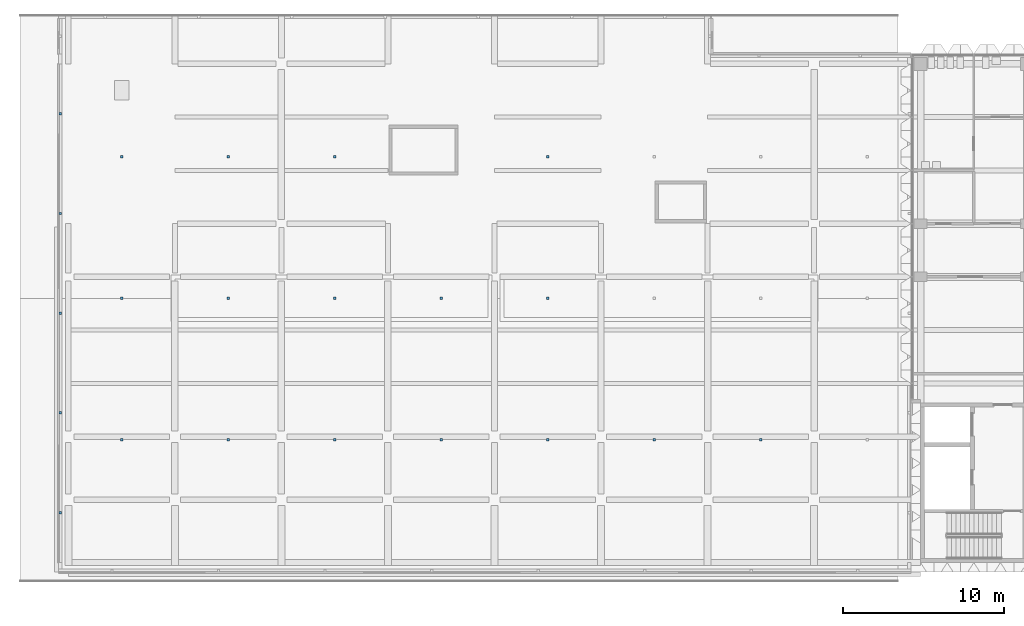
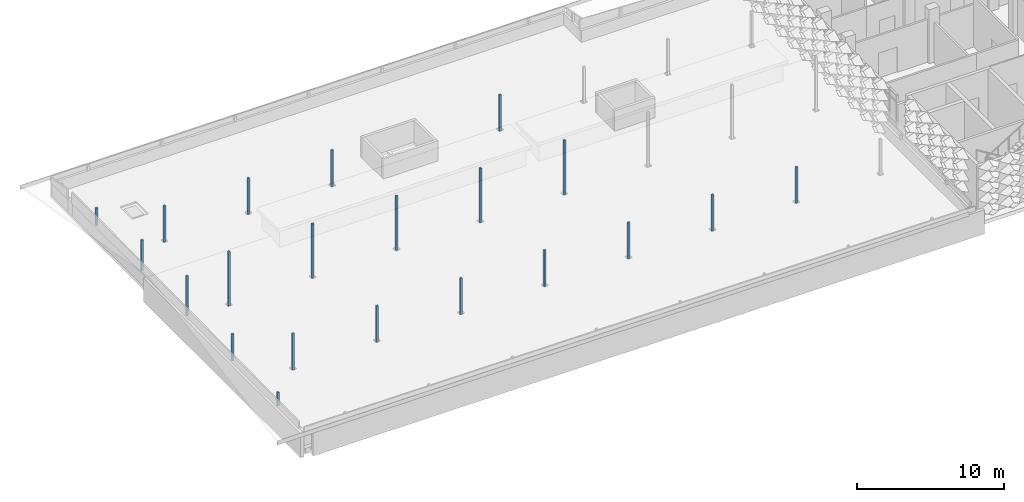
# One storey, part 15 of 39: 21 discrete accessories.
"""IFC4 building model written with IfcOpenShell, lengths in metres."""

import ifcopenshell
import ifcopenshell.guid

model = None  # the IFC model being written
_history = None  # IfcOwnerHistory: only IFC2X3 demands one
_inside = {}  # id of a spatial element -> (the spatial element, [elements in it])
_under = {}  # id of a project, library or spatial element -> (it, [spatial elements below it])
_declared = {}  # id of a project -> (the project, [libraries it declares])
_typed = {}  # id of a type object -> (the type object, [elements of that type])
_made_of = {}  # id of a material, layer set ... -> (it, [elements and type objects made of it])


def new_model(schema):
    """Start an empty IFC model of exactly this schema.

    Asked for "IFC4X3", IfcOpenShell would pick the latest addendum, in which some entities
    have other attributes; the version numbers below select the first issue.
    IFC2X3 requires an IfcOwnerHistory on every rooted entity: one is made here for all.
    """
    global model, _history
    if schema == "IFC4X3":
        model = ifcopenshell.file(schema_version=(4, 3, 0, 0))
    else:
        model = ifcopenshell.file(schema=schema)
    _inside.clear()
    _under.clear()
    _declared.clear()
    _typed.clear()
    _made_of.clear()
    _history = None
    if model.schema == "IFC2X3":
        org = make("IfcOrganization", Name="unknown")
        user = make(
            "IfcPersonAndOrganization",
            ThePerson=make("IfcPerson", FamilyName="unknown"),
            TheOrganization=org,
        )
        app = make(
            "IfcApplication",
            ApplicationDeveloper=org,
            Version="unknown",
            ApplicationFullName="unknown",
            ApplicationIdentifier="unknown",
        )
        _history = make(
            "IfcOwnerHistory",
            OwningUser=user,
            OwningApplication=app,
            ChangeAction="ADDED",
            CreationDate=0,
        )
    return model


def make(cls, **values):
    """One entity of the class cls with the attributes given. An attribute that is None is left unset."""
    return model.create_entity(
        cls, **{name: value for name, value in values.items() if value is not None}
    )


def rooted(cls, **values):
    """An entity with a GlobalId (a new one), such as an element, a storey or a relation."""
    return make(cls, GlobalId=ifcopenshell.guid.new(), OwnerHistory=_history, **values)


def si_unit(unit_type, name, prefix=None):
    """IfcSIUnit, for example si_unit("LENGTHUNIT", "METRE", prefix="MILLI")."""
    return make("IfcSIUnit", UnitType=unit_type, Prefix=prefix, Name=name)


def assignment(units):
    """IfcUnitAssignment: the units of a project."""
    return None if units is None else make("IfcUnitAssignment", Units=units)


def point(xyz):
    """IfcCartesianPoint."""
    return None if xyz is None else make("IfcCartesianPoint", Coordinates=xyz)


def direction(xyz):
    """IfcDirection."""
    return None if xyz is None else make("IfcDirection", DirectionRatios=xyz)


def frame(location, z_axis=None, x_axis=None):
    """IfcAxis2Placement3D, a coordinate frame: its origin and axes. An axis left out is left unset."""
    return make(
        "IfcAxis2Placement3D",
        Location=point(location),
        Axis=direction(z_axis),
        RefDirection=direction(x_axis),
    )


def frame_2d(location, x_axis=None):
    """IfcAxis2Placement2D, a coordinate frame in the plane: its origin and x axis."""
    return make(
        "IfcAxis2Placement2D", Location=point(location), RefDirection=direction(x_axis)
    )


def origin():
    """The frame at (0, 0, 0) with its axes left unset."""
    return frame((0.0, 0.0, 0.0))


def origin_2d():
    """The frame at (0, 0) in the plane with its x axis left unset."""
    return frame_2d((0.0, 0.0))


def place(relative_to, where):
    """IfcLocalPlacement: puts the frame where relative to a parent placement (None: the world)."""
    return make(
        "IfcLocalPlacement", PlacementRelTo=relative_to, RelativePlacement=where
    )


def context(
    kind, dimensions, precision=None, world=None, true_north=None, identifier=None
):
    """IfcGeometricRepresentationContext, for example the 3D "Model" context."""
    return make(
        "IfcGeometricRepresentationContext",
        ContextIdentifier=identifier,
        ContextType=kind,
        CoordinateSpaceDimension=dimensions,
        Precision=precision,
        WorldCoordinateSystem=world,
        TrueNorth=true_north,
    )


def subcontext(parent, identifier, kind, view, scale=None):
    """IfcGeometricRepresentationSubContext, for example "Body" below "Model"."""
    return make(
        "IfcGeometricRepresentationSubContext",
        ContextIdentifier=identifier,
        ContextType=kind,
        ParentContext=parent,
        TargetScale=scale,
        TargetView=view,
    )


def project(units=None, contexts=None):
    """IfcProject with its units and contexts."""
    return rooted(
        "IfcProject",
        Name="project",
        RepresentationContexts=contexts,
        UnitsInContext=assignment(units),
    )


def spatial(cls, under=None, at=None, **own):
    """A site, building, storey or space (cls), placed at a placement, below another one or the project."""
    s = rooted(cls, ObjectPlacement=at, **own)
    if under is not None:
        _under.setdefault(under.id(), (under, []))[1].append(s)
    return s


def profile(cls, at=None, kind="AREA", **sizes):
    """A parametric profile (cls). Its sizes go by their IFC names, for example OverallWidth=200.0."""
    return make(cls, ProfileType=kind, Position=at, **sizes)


def rectangle(**sizes):
    """IfcRectangleProfileDef."""
    return profile("IfcRectangleProfileDef", **sizes)


def extrude(swept, where, along, depth):
    """IfcExtrudedAreaSolid: the profile swept, set in the frame where, extruded along a direction by depth."""
    return make(
        "IfcExtrudedAreaSolid",
        SweptArea=swept,
        Position=where,
        ExtrudedDirection=direction(along),
        Depth=depth,
    )


def shape(context_of_items, identifier, shape_type, items):
    """IfcShapeRepresentation: the items that make up one representation, for example the "Body"."""
    return make(
        "IfcShapeRepresentation",
        ContextOfItems=context_of_items,
        RepresentationIdentifier=identifier,
        RepresentationType=shape_type,
        Items=items,
    )


def material(Name=None, Category=None):
    """IfcMaterial."""
    return make("IfcMaterial", Name=Name, Category=Category)


def made_of(thing, what):
    """Note that an element or type object is made of a material, layer set ...; save() writes the relation."""
    if what is not None:
        _made_of.setdefault(what.id(), (what, []))[1].append(thing)
    return thing


def type_object(cls, material=None, **own):
    """A type object (cls), such as IfcWallType, which elements share."""
    return made_of(rooted(cls, **own), material)


def element(
    cls,
    number,
    at=None,
    inside=None,
    cuts=None,
    type_object=None,
    material=None,
    context=None,
    identifier="Body",
    shape_type=None,
    held_by="IfcProductDefinitionShape",
    body=None,
    shapes=None,
    **own,
):
    """One element of the class cls, such as IfcWall. Its Tag is "e" and its number.

    at: its placement. inside: the storey or other place that contains it. cuts: it is an
    opening in that element (IfcRelVoidsElement). A single representation is given by context,
    identifier, shape_type and body (its items); several are given by shapes. held_by: the class
    of the entity that holds the representations. save() writes the other relations.
    """
    e = rooted(cls, Tag="e%d" % number, ObjectPlacement=at, **own)
    if body is not None:
        shapes = [shape(context, identifier, shape_type, body)]
    if shapes is not None:
        e.Representation = make(held_by, Representations=shapes)
    if inside is not None:
        _inside.setdefault(inside.id(), (inside, []))[1].append(e)
    if cuts is not None:
        rooted(
            "IfcRelVoidsElement", RelatingBuildingElement=cuts, RelatedOpeningElement=e
        )
    if type_object is not None:
        _typed.setdefault(type_object.id(), (type_object, []))[1].append(e)
    return made_of(e, material)


def aggregate(whole, parts):
    """IfcRelAggregates: a whole, such as a stair, and the parts it consists of."""
    return rooted("IfcRelAggregates", RelatingObject=whole, RelatedObjects=parts)


def save(model, path):
    """Write the relations noted so far, then the file.

    IfcRelAggregates (storeys below a building ...), IfcRelContainedInSpatialStructure (elements
    in a storey), IfcRelDefinesByType, IfcRelAssociatesMaterial and IfcRelDeclares: one each for
    every whole, place, type object, material and project.
    """
    for whole, parts in _under.values():
        aggregate(whole, parts)
    for where, things in _inside.values():
        rooted(
            "IfcRelContainedInSpatialStructure",
            RelatedElements=things,
            RelatingStructure=where,
        )
    for kind, things in _typed.values():
        rooted("IfcRelDefinesByType", RelatedObjects=things, RelatingType=kind)
    for what, things in _made_of.values():
        rooted("IfcRelAssociatesMaterial", RelatedObjects=things, RelatingMaterial=what)
    for by, libraries in _declared.values():
        rooted("IfcRelDeclares", RelatingContext=by, RelatedDefinitions=libraries)
    model.write(path)


model = new_model("IFC4")

# Units and contexts
model_context = context("Model", 3, precision=1e-05, world=origin(), true_north=direction((0.0, 1.0)))
body_context = subcontext(model_context, "Body", "Model", "MODEL_VIEW")
ifc_project = project(units=[si_unit("LENGTHUNIT", "METRE"), si_unit("AREAUNIT", "SQUARE_METRE"), si_unit("VOLUMEUNIT", "CUBIC_METRE"), si_unit("PLANEANGLEUNIT", "RADIAN"), si_unit("MASSUNIT", "GRAM", prefix="KILO")], contexts=[model_context])

# Site, building, storey
site_placement = place(None, origin())
site = spatial("IfcSite", under=ifc_project, at=site_placement, CompositionType="ELEMENT")
building_placement = place(site_placement, origin())
building = spatial("IfcBuilding", under=site, at=building_placement, Name="Lantern Court Research Institute", CompositionType="ELEMENT")
storey_placement = place(building_placement, frame((0.0, 0.0, 27.89990234375)))
storey = spatial("IfcBuildingStorey", under=building, at=storey_placement, Name="L06", CompositionType="ELEMENT", Elevation=27.89990234375)

# Discrete accessories
ifc_material = material(Name="Structural steel S355", Category="steel")
discrete_accessory_type = type_object("IfcDiscreteAccessoryType", Name="Parasol roof post 150 x 150 steel", PredefinedType="BRACKET", material=ifc_material)
for number, where, z_axis, x_axis, name in (
    (1, (3.300048828125, 8.574951171875, 0.0), (0.0, 0.0, 1.0), (1.0, 0.0, 0.0), "Parasol roof post V4 1"),
    (2, (9.89990234375, 8.574951171875, 0.0), (0.0, 0.0, 1.0), (1.0, 0.0, 0.0), "Parasol roof post V4 2"),
    (3, (16.5, 8.574951171875, 0.0), (0.0, 0.0, 1.0), (1.0, 0.0, 0.0), "Parasol roof post V4 3"),
    (4, (23.10009765625, 8.574951171875, 0.0), (0.0, 0.0, 1.0), (1.0, 0.0, 0.0), "Parasol roof post V4 4"),
    (5, (29.699951171875, 8.574951171875, 0.0), (0.0, 0.0, 1.0), (1.0, 0.0, 0.0), "Parasol roof post V4 5"),
):
    element("IfcDiscreteAccessory", number, at=place(storey_placement, frame(where, z_axis=z_axis, x_axis=x_axis)), inside=storey, type_object=discrete_accessory_type, Name=name, PredefinedType="BRACKET", context=body_context, shape_type="SweptSolid", body=[
        extrude(rectangle(XDim=0.14990234375, YDim=0.14990234375, at=origin_2d()), origin(), (0.0, 0.0, 1.0), 4.545654296875),
    ])
for number, where, z_axis, x_axis, name in (
    (6, (3.300048828125, -0.1875, 0.0), (0.0, 0.0, 1.0), (1.0, 0.0, 0.0), "Parasol roof post V4 9"),
    (7, (9.89990234375, -0.1875, 0.0), (0.0, 0.0, 1.0), (1.0, 0.0, 0.0), "Parasol roof post V4 10"),
    (8, (16.5, -0.1875, 0.0), (0.0, 0.0, 1.0), (1.0, 0.0, 0.0), "Parasol roof post V4 11"),
    (9, (23.10009765625, -0.1875, 0.0), (0.0, 0.0, 1.0), (1.0, 0.0, 0.0), "Parasol roof post V4 12"),
    (10, (29.699951171875, -0.1875, 0.0), (0.0, 0.0, 1.0), (1.0, 0.0, 0.0), "Parasol roof post V4 13"),
    (11, (36.300048828125, -0.1875, 0.0), (0.0, 0.0, 1.0), (1.0, 0.0, 0.0), "Parasol roof post V4 14"),
    (12, (42.89990234375, -0.1875, 0.0), (0.0, 0.0, 1.0), (1.0, 0.0, 0.0), "Parasol roof post V4 15"),
    (13, (3.300048828125, 17.33740234375, 0.0), (0.0, 0.0, 1.0), (1.0, 0.0, 0.0), "Parasol roof post V4 17"),
    (14, (9.89990234375, 17.33740234375, 0.0), (0.0, 0.0, 1.0), (1.0, 0.0, 0.0), "Parasol roof post V4 18"),
    (15, (16.5, 17.33740234375, 0.0), (0.0, 0.0, 1.0), (1.0, 0.0, 0.0), "Parasol roof post V4 19"),
    (16, (29.699951171875, 17.33740234375, 0.0), (0.0, 0.0, 1.0), (1.0, 0.0, 0.0), "Parasol roof post V4 20"),
):
    element("IfcDiscreteAccessory", number, at=place(storey_placement, frame(where, z_axis=z_axis, x_axis=x_axis)), inside=storey, type_object=discrete_accessory_type, Name=name, PredefinedType="BRACKET", context=body_context, shape_type="SweptSolid", body=[
        extrude(rectangle(XDim=0.14990234375, YDim=0.14990234375, at=origin_2d()), origin(), (0.0, 0.0, 1.0), 3.027099609375),
    ])
discrete_accessory_1_placement = place(storey_placement, frame((-0.5, 20.010009765625, 1.10009765625), z_axis=(0.0, 0.0, 1.0), x_axis=(1.0, 0.0, 0.0)))
element("IfcDiscreteAccessory", 17, at=discrete_accessory_1_placement, inside=storey, type_object=discrete_accessory_type, Name="Parasol roof post V4 24", PredefinedType="BRACKET", context=body_context, shape_type="SweptSolid", body=[
    extrude(rectangle(XDim=0.14990234375, YDim=0.14990234375, at=origin_2d()), origin(), (0.0, 0.0, 1.0), 1.455810546875),
])
discrete_accessory_2_placement = place(storey_placement, frame((-0.5, 13.830078125, 1.10009765625), z_axis=(0.0, 0.0, 1.0), x_axis=(1.0, 0.0, 0.0)))
element("IfcDiscreteAccessory", 18, at=discrete_accessory_2_placement, inside=storey, type_object=discrete_accessory_type, Name="Parasol roof post V4 25", PredefinedType="BRACKET", context=body_context, shape_type="SweptSolid", body=[
    extrude(rectangle(XDim=0.14990234375, YDim=0.14990234375, at=origin_2d()), origin(), (0.0, 0.0, 1.0), 2.54541015625),
])
discrete_accessory_3_placement = place(storey_placement, frame((-0.5, 7.64990234375, 1.10009765625), z_axis=(0.0, 0.0, 1.0), x_axis=(1.0, 0.0, 0.0)))
element("IfcDiscreteAccessory", 19, at=discrete_accessory_3_placement, inside=storey, type_object=discrete_accessory_type, Name="Parasol roof post V4 26", PredefinedType="BRACKET", context=body_context, shape_type="SweptSolid", body=[
    extrude(rectangle(XDim=0.14990234375, YDim=0.14990234375, at=origin_2d()), origin(), (0.0, 0.0, 1.0), 3.30908203125),
])
discrete_accessory_4_placement = place(storey_placement, frame((-0.5, 1.469970703125, 1.10009765625), z_axis=(0.0, 0.0, 1.0), x_axis=(1.0, 0.0, 0.0)))
element("IfcDiscreteAccessory", 20, at=discrete_accessory_4_placement, inside=storey, type_object=discrete_accessory_type, Name="Parasol roof post V4 27", PredefinedType="BRACKET", context=body_context, shape_type="SweptSolid", body=[
    extrude(rectangle(XDim=0.14990234375, YDim=0.14990234375, at=origin_2d()), origin(), (0.0, 0.0, 1.0), 2.21923828125),
])
discrete_accessory_5_placement = place(storey_placement, frame((-0.5, -4.7099609375, 1.10009765625), z_axis=(0.0, 0.0, 1.0), x_axis=(1.0, 0.0, 0.0)))
element("IfcDiscreteAccessory", 21, at=discrete_accessory_5_placement, inside=storey, type_object=discrete_accessory_type, Name="Parasol roof post V4 28", PredefinedType="BRACKET", context=body_context, shape_type="SweptSolid", body=[
    extrude(rectangle(XDim=0.14990234375, YDim=0.14990234375, at=origin_2d()), origin(), (0.0, 0.0, 1.0), 1.129638671875),
])

save(model, "model.ifc")
